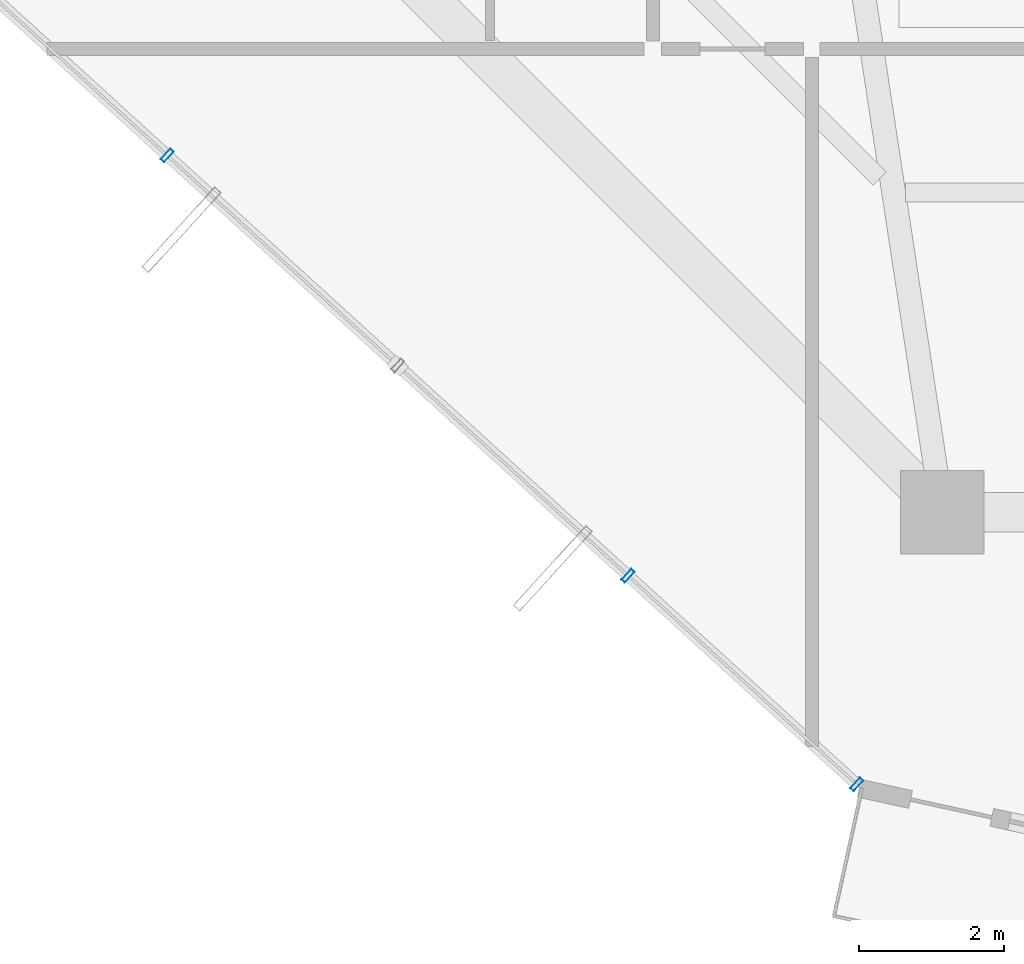
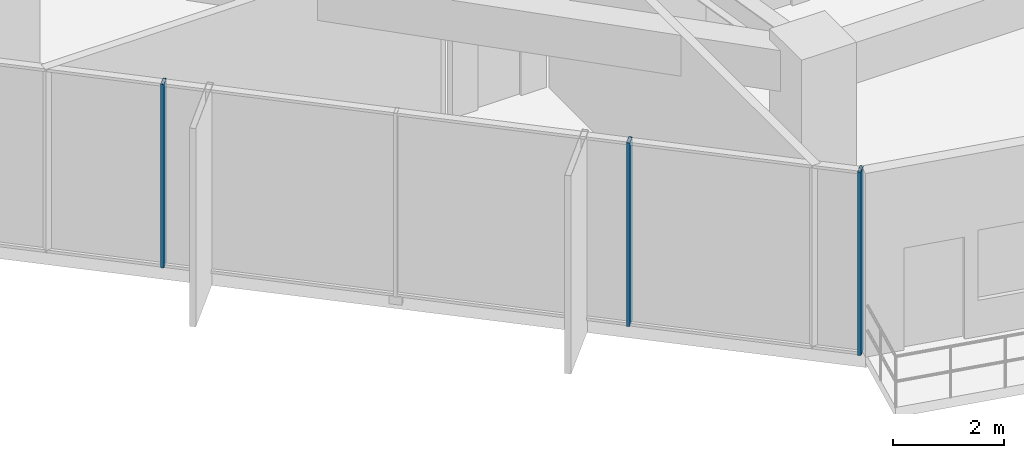
# One storey, part 4 of 28: 3 members, 1 element without a shape of its own.
"""IFC4 building model written with IfcOpenShell, lengths in metres."""

from ifc_helpers import new_model, si_unit, direction, frame, origin, origin_2d, place, context, subcontext, project, spatial, hollow_rectangle, extrude, source, transform, mapped, material, layer, layer_set, material_profile, profile_set, type_object, element, aggregate, save


model = new_model("IFC4")

# Units and contexts
model_context = context("Model", 3, precision=1e-05, world=origin(), true_north=direction((0.0, 1.0)))
body_context = subcontext(model_context, "Body", "Model", "MODEL_VIEW")
ifc_project = project(units=[si_unit("LENGTHUNIT", "METRE"), si_unit("AREAUNIT", "SQUARE_METRE"), si_unit("VOLUMEUNIT", "CUBIC_METRE"), si_unit("PLANEANGLEUNIT", "RADIAN"), si_unit("MASSUNIT", "GRAM", prefix="KILO")], contexts=[model_context])

# Site, building, storey
site_placement = place(None, origin())
site = spatial("IfcSite", under=ifc_project, at=site_placement, CompositionType="ELEMENT")
building_placement = place(site_placement, origin())
building = spatial("IfcBuilding", under=site, at=building_placement, Name="Veraguas Prism Commons", CompositionType="ELEMENT")
storey_placement = place(building_placement, frame((0.0, 0.0, 85.14990234375)))
storey = spatial("IfcBuildingStorey", under=building, at=storey_placement, Name="L23", CompositionType="ELEMENT", Elevation=85.14990234375)

# Curtain wall, members
ifc_material = material(Name="Anodised aluminium EN AW-6063 T6", Category="aluminium")
ifc_layer = layer(ifc_material, 0.199951171875, Name="Sky Lobby and Pool Acoustic Curtain Wall", Category="aluminium")
ifc_layer_set = layer_set([ifc_layer], Name="Anodised aluminium EN AW-6063 T6")
curtain_wall_type = type_object("IfcCurtainWallType", Name="Sky Lobby and Pool Acoustic Curtain Wall", PredefinedType="NOTDEFINED", material=ifc_layer_set)
curtain_wall_placement = place(storey_placement, origin())
curtain_wall = element("IfcCurtainWall", 1, at=curtain_wall_placement, inside=storey, type_object=curtain_wall_type, Name="Tower Facade Curtain Wall L23-F4", PredefinedType="NOTDEFINED")
ifc_material_profile = material_profile(ifc_material, hollow_rectangle(XDim=0.06494140625, YDim=0.199951171875, WallThickness=0.00390625, at=origin_2d()), Name="AL65X200X4")
ifc_profile_set = profile_set([ifc_material_profile], Name="Anodised aluminium EN AW-6063 T6")
member_type = type_object("IfcMemberType", Name="Curtain Wall Mullion Heavy AL 65x200x4", PredefinedType="MULLION", material=ifc_profile_set)
shared_shape = source(origin(), body_context, "Body", "SweptSolid", [
    extrude(hollow_rectangle(XDim=0.06494140625, YDim=0.199951171875, WallThickness=0.00390625, at=origin_2d()), origin(), (0.0, 0.0, 1.0), 4.050048828125),
])
member_1_placement = place(storey_placement, frame((7.891357421875, 12.728759765625, 0.0), z_axis=(0.0, 0.0, 1.0), x_axis=(0.738924736523, -0.673787973887, 0.0)))
member_1 = element("IfcMember", 2, at=member_1_placement, type_object=member_type, Name="CW-SKY Mullion 2", PredefinedType="MULLION", context=body_context, shape_type="MappedRepresentation", body=[
    mapped(shared_shape, transform((0.0, 0.0, 0.0), scale=1.0)),
])
member_2_placement = place(storey_placement, frame((14.2587890625, 6.922607421875, 0.0), z_axis=(0.0, 0.0, 1.0), x_axis=(0.738924736523, -0.673787973887, 0.0)))
member_2 = element("IfcMember", 3, at=member_2_placement, type_object=member_type, Name="CW-SKY Mullion 4", PredefinedType="MULLION", context=body_context, shape_type="MappedRepresentation", body=[
    mapped(shared_shape, transform((0.0, 0.0, 0.0), scale=1.0)),
])
member_3_placement = place(storey_placement, frame((17.418701171875, 4.041259765625, 0.0), z_axis=(0.0, 0.0, 1.0), x_axis=(0.738924736523, -0.673787973887, 0.0)))
member_3 = element("IfcMember", 4, at=member_3_placement, type_object=member_type, Name="CW-SKY Mullion 5", PredefinedType="MULLION", context=body_context, shape_type="MappedRepresentation", body=[
    mapped(shared_shape, transform((0.0, 0.0, 0.0), scale=1.0)),
])
aggregate(curtain_wall, [member_1, member_2, member_3])

save(model, "model.ifc")
